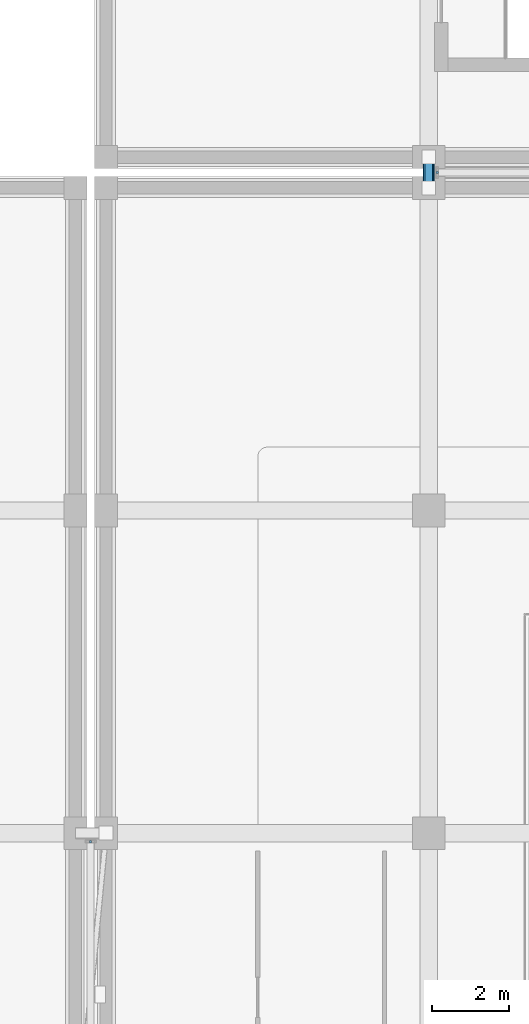
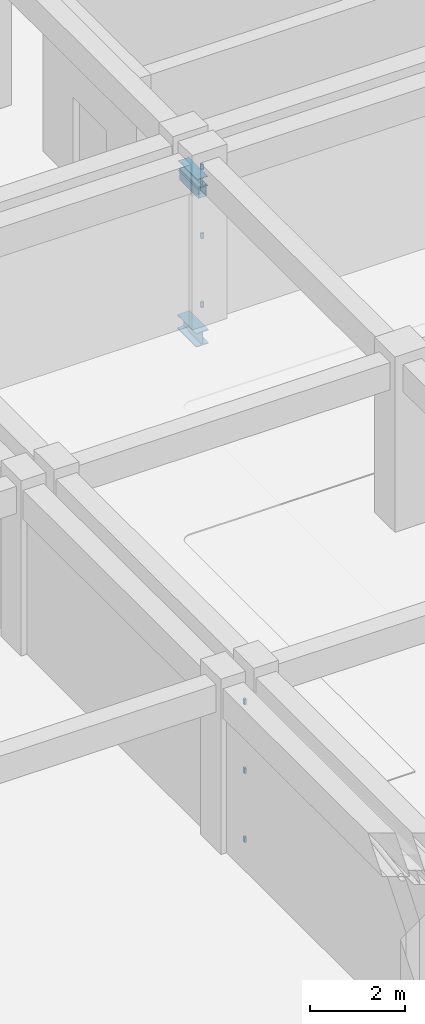
# One storey, part 76 of 129: 7 members, 2 beams, 2 elements without a shape of their own.
"""IFC4 building model written with IfcOpenShell, lengths in metres."""

from ifc_helpers import new_model, si_unit, direction, frame, origin, origin_2d, place, context, subcontext, project, spatial, hollow_rectangle, i_section, extrude, material, layer, layer_set, material_profile, profile_set, type_object, element, aggregate, save


model = new_model("IFC4")

# Units and contexts
model_context = context("Model", 3, precision=1e-05, world=origin(), true_north=direction((0.0, 1.0)))
body_context = subcontext(model_context, "Body", "Model", "MODEL_VIEW")
ifc_project = project(units=[si_unit("LENGTHUNIT", "METRE"), si_unit("AREAUNIT", "SQUARE_METRE"), si_unit("VOLUMEUNIT", "CUBIC_METRE"), si_unit("PLANEANGLEUNIT", "RADIAN"), si_unit("MASSUNIT", "GRAM", prefix="KILO")], contexts=[model_context])

# Site, building, storey
site_placement = place(None, origin())
site = spatial("IfcSite", under=ifc_project, at=site_placement, CompositionType="ELEMENT")
building_placement = place(site_placement, origin())
building = spatial("IfcBuilding", under=site, at=building_placement, Name="Xazarin Passage Department Store", CompositionType="ELEMENT")
storey_placement = place(building_placement, frame((0.0, 0.0, 9.89990234375)))
storey = spatial("IfcBuildingStorey", under=building, at=storey_placement, Name="L02", CompositionType="ELEMENT", Elevation=9.89990234375)

# Curtain wall, members
ifc_material_1 = material(Name="Bronze anodised aluminium", Category="aluminium")
ifc_layer = layer(ifc_material_1, 0.14990234375)
ifc_layer_set = layer_set([ifc_layer], Name="Bronze anodised aluminium")
curtain_wall_type = type_object("IfcCurtainWallType", Name="ARC-CW-BRG1", PredefinedType="NOTDEFINED", material=ifc_layer_set)
curtain_wall_1_placement = place(storey_placement, origin())
curtain_wall_1 = element("IfcCurtainWall", 1, at=curtain_wall_1_placement, inside=storey, type_object=curtain_wall_type, Name="L02 BR-V2S-V3 Bridge Curtain Wall 2", PredefinedType="NOTDEFINED")
ifc_material_profile_1 = material_profile(ifc_material_1, hollow_rectangle(XDim=0.06494140625, YDim=0.139892578125, WallThickness=0.00390625, at=origin_2d()), Name="ALU 65x140")
ifc_profile_set_1 = profile_set([ifc_material_profile_1], Name="Bronze anodised aluminium")
member_type_1 = type_object("IfcMemberType", Name="ARC-CWT-65x140", PredefinedType="USERDEFINED", material=ifc_profile_set_1)
member_1_placement = place(storey_placement, frame((67.574951171875, 33.3798828125, 0.03271484375), z_axis=(1.0, 0.0, 0.0), x_axis=(0.0, 1.0, 0.0)))
member_1 = element("IfcMember", 2, at=member_1_placement, type_object=member_type_1, Name="CW7 transom 1.1", ObjectType="TRANSOM", PredefinedType="USERDEFINED", context=body_context, shape_type="SweptSolid", body=[
    extrude(hollow_rectangle(XDim=0.06494140625, YDim=0.139892578125, WallThickness=0.00390625, at=origin_2d()), origin(), (0.0, 0.0, 1.0), 0.050048828125),
])
member_2_placement = place(storey_placement, frame((67.574951171875, 33.3798828125, 1.800048828125), z_axis=(1.0, 0.0, 0.0), x_axis=(0.0, 1.0, 0.0)))
member_2 = element("IfcMember", 3, at=member_2_placement, type_object=member_type_1, Name="CW7 transom 1.2", ObjectType="TRANSOM", PredefinedType="USERDEFINED", context=body_context, shape_type="SweptSolid", body=[
    extrude(hollow_rectangle(XDim=0.06494140625, YDim=0.139892578125, WallThickness=0.00390625, at=origin_2d()), origin(), (0.0, 0.0, 1.0), 0.050048828125),
])
member_3_placement = place(storey_placement, frame((67.574951171875, 33.3798828125, 3.567626953125), z_axis=(1.0, 0.0, 0.0), x_axis=(0.0, 1.0, 0.0)))
member_3 = element("IfcMember", 4, at=member_3_placement, type_object=member_type_1, Name="CW7 transom 1.3", ObjectType="TRANSOM", PredefinedType="USERDEFINED", context=body_context, shape_type="SweptSolid", body=[
    extrude(hollow_rectangle(XDim=0.06494140625, YDim=0.139892578125, WallThickness=0.00390625, at=origin_2d()), origin(), (0.0, 0.0, 1.0), 0.050048828125),
])
aggregate(curtain_wall_1, [member_1, member_2, member_3])

curtain_wall_2_placement = place(storey_placement, origin())
curtain_wall_2 = element("IfcCurtainWall", 5, at=curtain_wall_2_placement, inside=storey, type_object=curtain_wall_type, Name="L02 BR-V2S-V2N Bridge Curtain Wall 1", PredefinedType="NOTDEFINED")
member_4_placement = place(storey_placement, frame((76.6201171875, 50.77490234375, 0.03271484375), z_axis=(0.0, 1.0, 0.0), x_axis=(-1.0, 0.0, 0.0)))
member_4 = element("IfcMember", 6, at=member_4_placement, type_object=member_type_1, Name="CW7 transom 1.1", ObjectType="TRANSOM", PredefinedType="USERDEFINED", context=body_context, shape_type="SweptSolid", body=[
    extrude(hollow_rectangle(XDim=0.06494140625, YDim=0.139892578125, WallThickness=0.00390625, at=origin_2d()), origin(), (0.0, 0.0, 1.0), 0.050048828125),
])
member_5_placement = place(storey_placement, frame((76.6201171875, 50.77490234375, 1.800048828125), z_axis=(0.0, 1.0, 0.0), x_axis=(-1.0, 0.0, 0.0)))
member_5 = element("IfcMember", 7, at=member_5_placement, type_object=member_type_1, Name="CW7 transom 1.2", ObjectType="TRANSOM", PredefinedType="USERDEFINED", context=body_context, shape_type="SweptSolid", body=[
    extrude(hollow_rectangle(XDim=0.06494140625, YDim=0.139892578125, WallThickness=0.00390625, at=origin_2d()), origin(), (0.0, 0.0, 1.0), 0.050048828125),
])
member_6_placement = place(storey_placement, frame((76.6201171875, 50.77490234375, 3.567626953125), z_axis=(0.0, 1.0, 0.0), x_axis=(-1.0, 0.0, 0.0)))
member_6 = element("IfcMember", 8, at=member_6_placement, type_object=member_type_1, Name="CW7 transom 1.3", ObjectType="TRANSOM", PredefinedType="USERDEFINED", context=body_context, shape_type="SweptSolid", body=[
    extrude(hollow_rectangle(XDim=0.06494140625, YDim=0.139892578125, WallThickness=0.00390625, at=origin_2d()), origin(), (0.0, 0.0, 1.0), 0.050048828125),
])
aggregate(curtain_wall_2, [member_4, member_5, member_6])

# Beams
ifc_material_2 = material(Name="Steel S355", Category="steel")
ifc_material_profile_2 = material_profile(ifc_material_2, i_section(OverallWidth=0.300048828125, OverallDepth=0.360107421875, WebThickness=0.012451171875, FlangeThickness=0.0224609375, FilletRadius=0.027099609375, at=origin_2d()), Name="HEB 360")
ifc_profile_set_2 = profile_set([ifc_material_profile_2], Name="Steel S355")
beam_type_1 = type_object("IfcBeamType", Name="STR-BM-BR360", PredefinedType="BEAM", material=ifc_profile_set_2)
beam_1_placement = place(storey_placement, frame((76.39990234375, 50.39990234375, -0.52001953125), z_axis=(0.0, 1.0, 0.0), x_axis=(-1.0, 0.0, 0.0)))
element("IfcBeam", 9, at=beam_1_placement, inside=storey, type_object=beam_type_1, Name="L02 BR-V2S-V2N Bridge Girder A", PredefinedType="BEAM", context=body_context, shape_type="SweptSolid", body=[
    extrude(i_section(OverallWidth=0.300048828125, OverallDepth=0.360107421875, WebThickness=0.012451171875, FlangeThickness=0.0224609375, FilletRadius=0.027099609375, at=origin_2d()), origin(), (0.0, 0.0, 1.0), 0.800048828125),
])
ifc_material_profile_3 = material_profile(ifc_material_2, i_section(OverallWidth=0.260009765625, OverallDepth=0.25, WebThickness=0.007568359375, FlangeThickness=0.012451171875, FilletRadius=0.02392578125, at=origin_2d()), Name="HEA 260")
ifc_profile_set_3 = profile_set([ifc_material_profile_3], Name="Steel S355")
beam_type_2 = type_object("IfcBeamType", Name="STR-BM-CAN260", PredefinedType="BEAM", material=ifc_profile_set_3)
beam_2_placement = place(storey_placement, frame((76.39990234375, 50.39990234375, 3.47509765625), z_axis=(0.0, 1.0, 0.0), x_axis=(-1.0, 0.0, 0.0)))
element("IfcBeam", 10, at=beam_2_placement, inside=storey, type_object=beam_type_2, Name="L02 BR-V2S-V2N Bridge Roof Beam A", PredefinedType="BEAM", context=body_context, shape_type="SweptSolid", body=[
    extrude(i_section(OverallWidth=0.260009765625, OverallDepth=0.25, WebThickness=0.007568359375, FlangeThickness=0.012451171875, FilletRadius=0.02392578125, at=origin_2d()), origin(), (0.0, 0.0, 1.0), 0.800048828125),
])

# Member
ifc_material_profile_4 = material_profile(ifc_material_2, hollow_rectangle(XDim=0.199951171875, YDim=0.300048828125, WallThickness=0.012451171875, at=origin_2d()), Name="RHS 300x200x12.5")
ifc_profile_set_4 = profile_set([ifc_material_profile_4], Name="Steel S355")
member_type_2 = type_object("IfcMemberType", Name="STR-MEM-CH300", PredefinedType="CHORD", material=ifc_profile_set_4)
member_7_placement = place(storey_placement, frame((76.39990234375, 50.39990234375, 3.25), z_axis=(0.0, 1.0, 0.0), x_axis=(-1.0, 0.0, 0.0)))
element("IfcMember", 11, at=member_7_placement, inside=storey, type_object=member_type_2, Name="L02 BR-V2S-V2N Bridge Chord A", PredefinedType="CHORD", context=body_context, shape_type="SweptSolid", body=[
    extrude(hollow_rectangle(XDim=0.199951171875, YDim=0.300048828125, WallThickness=0.012451171875, at=origin_2d()), origin(), (0.0, 0.0, 1.0), 0.800048828125),
])

save(model, "model.ifc")
